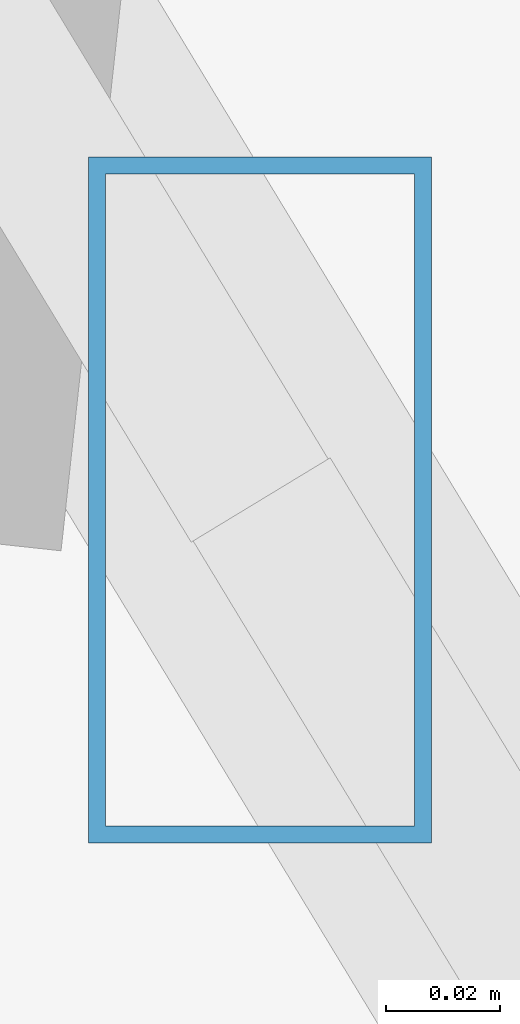
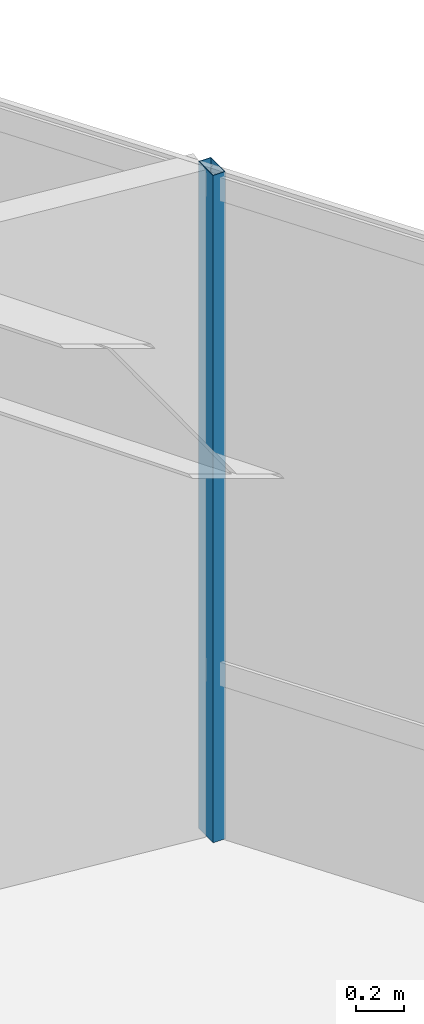
# One storey, part 25 of 49: 1 member, 1 element without a shape of its own.
"""IFC4 building model written with IfcOpenShell, lengths in metres."""

from ifc_helpers import new_model, si_unit, direction, frame, origin, origin_2d, place, context, subcontext, project, spatial, hollow_rectangle, extrude, source, transform, mapped, material, material_profile, profile_set, type_object, type_shapes, element, aggregate, save


model = new_model("IFC4")

# Units and contexts
model_context = context("Model", 3, precision=1e-05, world=origin(), true_north=direction((0.0, 1.0)))
body_context = subcontext(model_context, "Body", "Model", "MODEL_VIEW")
ifc_project = project(units=[si_unit("LENGTHUNIT", "METRE"), si_unit("AREAUNIT", "SQUARE_METRE"), si_unit("VOLUMEUNIT", "CUBIC_METRE"), si_unit("PLANEANGLEUNIT", "RADIAN"), si_unit("MASSUNIT", "GRAM", prefix="KILO")], contexts=[model_context])

# Site, building, storey
site_placement = place(None, origin())
site = spatial("IfcSite", under=ifc_project, at=site_placement, CompositionType="ELEMENT")
building_placement = place(site_placement, origin())
building = spatial("IfcBuilding", under=site, at=building_placement, Name="Caelisora Broadcast Tower", CompositionType="ELEMENT")
storey_placement = place(building_placement, frame((0.0, 0.0, 233.5)))
storey = spatial("IfcBuildingStorey", under=building, at=storey_placement, Name="L61", CompositionType="ELEMENT", Elevation=233.5)

# Curtain wall, member
ifc_material_1 = material(Name="Unitised Aluminium and Low-E Glass Curtain Wall", Category="glass")
curtain_wall_type = type_object("IfcCurtainWallType", Name="CW-Z5", PredefinedType="NOTDEFINED", material=ifc_material_1)
curtain_wall_placement = place(storey_placement, origin())
curtain_wall = element("IfcCurtainWall", 1, at=curtain_wall_placement, inside=storey, type_object=curtain_wall_type, Name="L61 curtain wall CW-Z5", PredefinedType="NOTDEFINED")
ifc_material_2 = material(Name="Aluminium 6063-T6 Anodised Terracotta Bronze", Category="aluminium")
ifc_material_profile = material_profile(ifc_material_2, hollow_rectangle(XDim=0.06005859375, YDim=0.1201171875, WallThickness=0.0029296875, at=origin_2d()), Name="Aluminium 6063-T6 Anodised Terracotta Bronze")
ifc_profile_set = profile_set([ifc_material_profile], Name="Aluminium 6063-T6 Anodised Terracotta Bronze")
member_type = type_object("IfcMemberType", Name="CWM-04", PredefinedType="MULLION", material=ifc_profile_set)
shared_shape = source(origin(), body_context, "Body", "SweptSolid", [
    extrude(hollow_rectangle(XDim=0.06005859375, YDim=0.1201171875, WallThickness=0.0029296875, at=origin_2d()), origin(), (0.0, 0.0, 1.0), 3.39990234375),
])
type_shapes(member_type, [shared_shape])
member_placement = place(storey_placement, frame((58.233642578125, 21.73779296875, 0.0), z_axis=(0.0, 0.0, 1.0), x_axis=(1.0, 0.0, 0.0)))
member = element("IfcMember", 2, at=member_placement, type_object=member_type, Name="L61-CW-B03 mullion #1", PredefinedType="MULLION", context=body_context, shape_type="MappedRepresentation", body=[
    mapped(shared_shape, transform((0.0, 0.0, 0.0), scale=1.0)),
])
aggregate(curtain_wall, [member])

save(model, "model.ifc")
